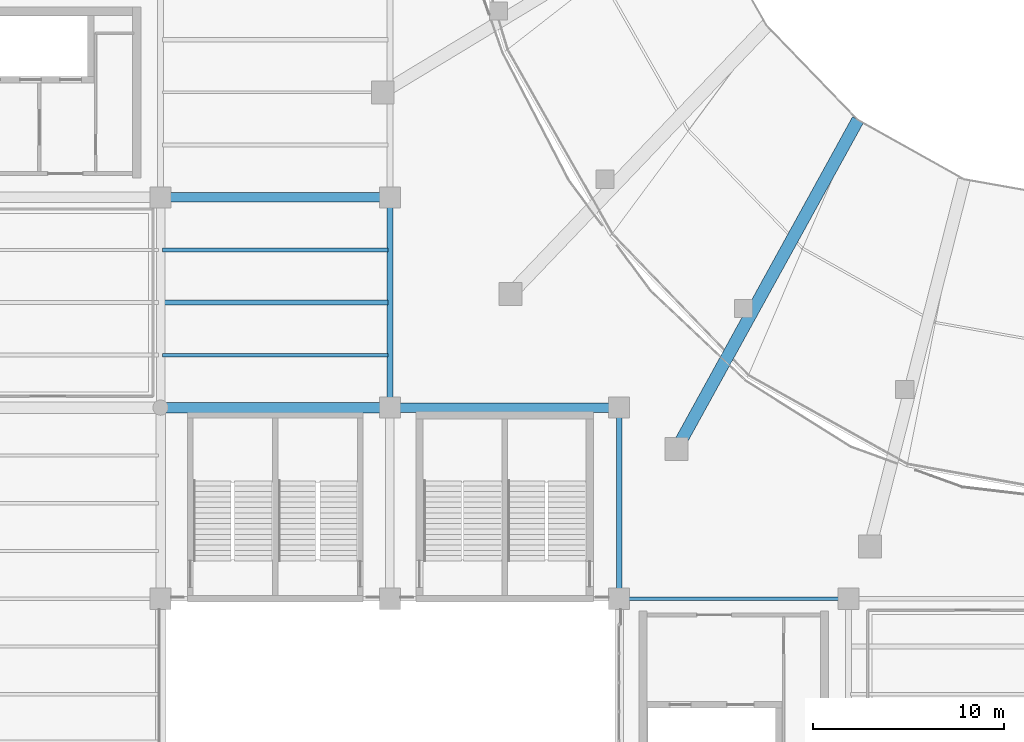
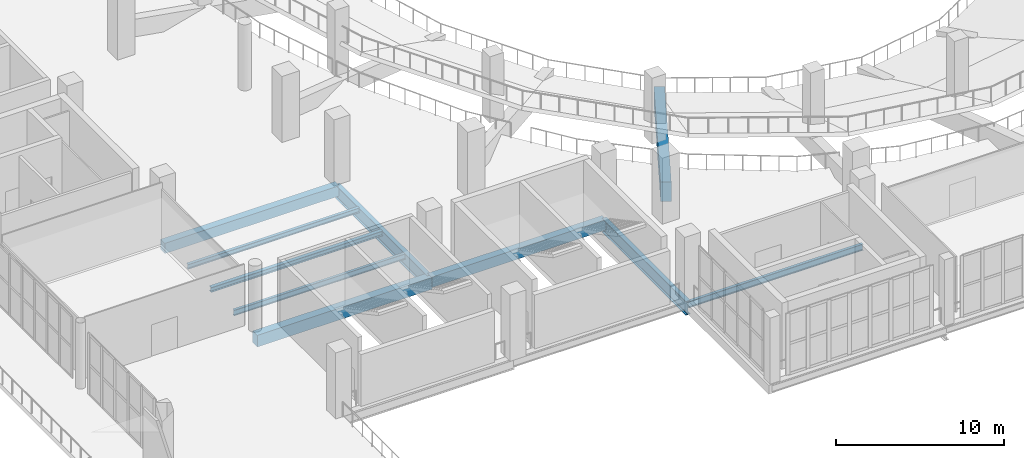
# One storey, part 39 of 136: 10 beams.
"""IFC4 building model written with IfcOpenShell, lengths in metres."""

from ifc_helpers import new_model, si_unit, direction, frame, origin, origin_2d, place, context, subcontext, project, spatial, rectangle, i_section, extrude, material, material_profile, profile_set, type_object, element, save


model = new_model("IFC4")

# Units and contexts
model_context = context("Model", 3, precision=1e-05, world=origin(), true_north=direction((0.0, 1.0)))
body_context = subcontext(model_context, "Body", "Model", "MODEL_VIEW")
ifc_project = project(units=[si_unit("LENGTHUNIT", "METRE"), si_unit("AREAUNIT", "SQUARE_METRE"), si_unit("VOLUMEUNIT", "CUBIC_METRE"), si_unit("PLANEANGLEUNIT", "RADIAN"), si_unit("MASSUNIT", "GRAM", prefix="KILO")], contexts=[model_context])

# Site, building, storey
site_placement = place(None, origin())
site = spatial("IfcSite", under=ifc_project, at=site_placement, CompositionType="ELEMENT")
building_placement = place(site_placement, origin())
building = spatial("IfcBuilding", under=site, at=building_placement, Name="Brinegate Civic Arena", CompositionType="ELEMENT")
storey_placement = place(building_placement, frame((0.0, 0.0, 5.39990234375)))
storey = spatial("IfcBuildingStorey", under=building, at=storey_placement, Name="L01", CompositionType="ELEMENT", Elevation=5.39990234375)

# Beams
ifc_material_1 = material(Name="Steel S355", Category="steel")
ifc_material_profile_1 = material_profile(ifc_material_1, i_section(OverallWidth=0.300048828125, OverallDepth=1.0, WebThickness=0.01904296875, FlangeThickness=0.031982421875, FilletRadius=0.02392578125, at=origin_2d()), Name="W1000X321")
ifc_profile_set_1 = profile_set([ifc_material_profile_1], Name="Steel S355")
beam_type_1 = type_object("IfcBeamType", Name="GIRDER-W1000X321", PredefinedType="BEAM", material=ifc_profile_set_1)
beam_1_placement = place(storey_placement, frame((72.0, 20.0, -0.83984375), z_axis=(0.0, 1.0, 0.0), x_axis=(-1.0, 0.0, 0.0)))
element("IfcBeam", 1, at=beam_1_placement, inside=storey, type_object=beam_type_1, Name="Floor Girder BM-L01-GY-06-02", PredefinedType="BEAM", context=body_context, shape_type="SweptSolid", body=[
    extrude(i_section(OverallWidth=0.300048828125, OverallDepth=1.0, WebThickness=0.01904296875, FlangeThickness=0.031982421875, FilletRadius=0.02392578125, at=origin_2d()), origin(), (0.0, 0.0, 1.0), 11.0),
])
beam_2_placement = place(storey_placement, frame((84.0, 10.0, -0.83984375), z_axis=(0.0, 1.0, 0.0), x_axis=(-1.0, 0.0, 0.0)))
element("IfcBeam", 2, at=beam_2_placement, inside=storey, type_object=beam_type_1, Name="Floor Girder BM-L01-GY-07-01", PredefinedType="BEAM", context=body_context, shape_type="SweptSolid", body=[
    extrude(i_section(OverallWidth=0.300048828125, OverallDepth=1.0, WebThickness=0.01904296875, FlangeThickness=0.031982421875, FilletRadius=0.02392578125, at=origin_2d()), origin(), (0.0, 0.0, 1.0), 10.0),
])
ifc_material_profile_2 = material_profile(ifc_material_1, i_section(OverallWidth=0.205078125, OverallDepth=0.35400390625, WebThickness=0.009033203125, FlangeThickness=0.01708984375, FilletRadius=0.013916015625, at=origin_2d()), Name="W360X79")
ifc_profile_set_2 = profile_set([ifc_material_profile_2], Name="Steel S355")
beam_type_2 = type_object("IfcBeamType", Name="JOIST-W360X79", PredefinedType="JOIST", material=ifc_profile_set_2)
beam_3_placement = place(storey_placement, frame((60.10595703125, 28.25, -0.516845703125), z_axis=(1.0, 0.0, 0.0), x_axis=(0.0, 1.0, 0.0)))
element("IfcBeam", 3, at=beam_3_placement, inside=storey, type_object=beam_type_2, Name="Secondary Joist BM-L01-JX-05-02-3", PredefinedType="JOIST", context=body_context, shape_type="SweptSolid", body=[
    extrude(i_section(OverallWidth=0.205078125, OverallDepth=0.35400390625, WebThickness=0.009033203125, FlangeThickness=0.01708984375, FilletRadius=0.013916015625, at=origin_2d()), origin(), (0.0, 0.0, 1.0), 11.7880859375),
])
ifc_material_profile_3 = material_profile(ifc_material_1, i_section(OverallWidth=0.25390625, OverallDepth=0.35302734375, WebThickness=0.010009765625, FlangeThickness=0.01611328125, FilletRadius=0.013916015625, at=origin_2d()), Name="W360X91")
ifc_profile_set_3 = profile_set([ifc_material_profile_3], Name="Steel S355")
beam_type_3 = type_object("IfcBeamType", Name="JOIST-W360X91", PredefinedType="JOIST", material=ifc_profile_set_3)
beam_4_placement = place(storey_placement, frame((60.10595703125, 25.5, -0.515869140625), z_axis=(1.0, 0.0, 0.0), x_axis=(0.0, 1.0, 0.0)))
element("IfcBeam", 4, at=beam_4_placement, inside=storey, type_object=beam_type_3, Name="Secondary Joist BM-L01-JX-05-02-2", PredefinedType="JOIST", context=body_context, shape_type="SweptSolid", body=[
    extrude(i_section(OverallWidth=0.25390625, OverallDepth=0.35302734375, WebThickness=0.010009765625, FlangeThickness=0.01611328125, FilletRadius=0.013916015625, at=origin_2d()), origin(), (0.0, 0.0, 1.0), 11.7880859375),
])
ifc_material_profile_4 = material_profile(ifc_material_1, i_section(OverallWidth=0.178955078125, OverallDepth=0.409912109375, WebThickness=0.009033203125, FlangeThickness=0.013916015625, FilletRadius=0.013916015625, at=origin_2d()), Name="W410X67")
ifc_profile_set_4 = profile_set([ifc_material_profile_4], Name="Steel S355")
beam_type_4 = type_object("IfcBeamType", Name="JOIST-W410X67", PredefinedType="JOIST", material=ifc_profile_set_4)
beam_5_placement = place(storey_placement, frame((60.10595703125, 22.75, -0.544921875), z_axis=(1.0, 0.0, 0.0), x_axis=(0.0, 1.0, 0.0)))
element("IfcBeam", 5, at=beam_5_placement, inside=storey, type_object=beam_type_4, Name="Secondary Joist BM-L01-JX-05-02-1", PredefinedType="JOIST", context=body_context, shape_type="SweptSolid", body=[
    extrude(i_section(OverallWidth=0.178955078125, OverallDepth=0.409912109375, WebThickness=0.009033203125, FlangeThickness=0.013916015625, FilletRadius=0.013916015625, at=origin_2d()), origin(), (0.0, 0.0, 1.0), 11.7880859375),
])
ifc_material_2 = material(Name="Concrete C50/60", Category="concrete")
ifc_material_profile_5 = material_profile(ifc_material_2, rectangle(XDim=0.64990234375, YDim=1.199951171875, at=origin_2d()), Name="RKR650X1200")
ifc_profile_set_5 = profile_set([ifc_material_profile_5], Name="Concrete C50/60")
beam_type_5 = type_object("IfcBeamType", Name="RAKER-RKR650X1200", PredefinedType="USERDEFINED", material=ifc_profile_set_5)
beam_6_placement = place(storey_placement, frame((96.39990234375, 34.89306640625, -4.89990234375), z_axis=(-0.456341906556, -0.828223462322, 0.325265984666), x_axis=(0.875849933393, -0.482583561858, 0.0)))
element("IfcBeam", 6, at=beam_6_placement, inside=storey, type_object=beam_type_5, Name="Lower Bowl Raker Girder RKR-LWR-17", ObjectType="RAKER GIRDER", PredefinedType="USERDEFINED", context=body_context, shape_type="SweptSolid", body=[
    extrude(rectangle(XDim=0.64990234375, YDim=1.199951171875, at=origin_2d()), origin(), (0.0, 0.0, 1.0), 20.598388671875),
])
ifc_material_profile_6 = material_profile(ifc_material_2, rectangle(XDim=0.5, YDim=0.75, at=origin_2d()), Name="RCB500X750")
ifc_profile_set_6 = profile_set([ifc_material_profile_6], Name="Concrete C50/60")
beam_type_6 = type_object("IfcBeamType", Name="RCG-500X750", PredefinedType="BEAM", material=ifc_profile_set_6)
for number, where, z_axis, x_axis, name in (
    (7, (72.0, 20.0, -0.71484375), (1.0, 0.0, 0.0), (0.0, 1.0, 0.0), "Floor Girder BM-L01-GX-06-02"),
    (8, (60.0, 31.0, -0.71484375), (1.0, 0.0, 0.0), (0.0, 1.0, 0.0), "Floor Girder BM-L01-GX-05-03"),
):
    element("IfcBeam", number, at=place(storey_placement, frame(where, z_axis=z_axis, x_axis=x_axis)), inside=storey, type_object=beam_type_6, Name=name, PredefinedType="BEAM", context=body_context, shape_type="SweptSolid", body=[
        extrude(rectangle(XDim=0.5, YDim=0.75, at=origin_2d()), origin(), (0.0, 0.0, 1.0), 12.0),
    ])
ifc_material_profile_7 = material_profile(ifc_material_2, rectangle(XDim=0.550048828125, YDim=0.85009765625, at=origin_2d()), Name="RCB550X850")
ifc_profile_set_7 = profile_set([ifc_material_profile_7], Name="Concrete C50/60")
beam_type_7 = type_object("IfcBeamType", Name="RCG-550X850", PredefinedType="BEAM", material=ifc_profile_set_7)
beam_7_placement = place(storey_placement, frame((60.0, 20.0, -0.764892578125), z_axis=(1.0, 0.0, 0.0), x_axis=(0.0, 1.0, 0.0)))
element("IfcBeam", 9, at=beam_7_placement, inside=storey, type_object=beam_type_7, Name="Floor Girder BM-L01-GX-05-02", PredefinedType="BEAM", context=body_context, shape_type="SweptSolid", body=[
    extrude(rectangle(XDim=0.550048828125, YDim=0.85009765625, at=origin_2d()), origin(), (0.0, 0.0, 1.0), 12.0),
])
ifc_material_profile_8 = material_profile(ifc_material_1, i_section(OverallWidth=0.193115234375, OverallDepth=0.466064453125, WebThickness=0.010986328125, FlangeThickness=0.01904296875, FilletRadius=0.014892578125, at=origin_2d()), Name="W460X97")
ifc_profile_set_8 = profile_set([ifc_material_profile_8], Name="Steel S355")
beam_type_8 = type_object("IfcBeamType", Name="SPANDREL-W460X97", PredefinedType="SPANDREL", material=ifc_profile_set_8)
beam_8_placement = place(storey_placement, frame((84.0, 10.0, -0.572998046875), z_axis=(1.0, 0.0, 0.0), x_axis=(0.0, 1.0, 0.0)))
element("IfcBeam", 10, at=beam_8_placement, inside=storey, type_object=beam_type_8, Name="Floor Girder BM-L01-GX-07-01", PredefinedType="SPANDREL", context=body_context, shape_type="SweptSolid", body=[
    extrude(i_section(OverallWidth=0.193115234375, OverallDepth=0.466064453125, WebThickness=0.010986328125, FlangeThickness=0.01904296875, FilletRadius=0.014892578125, at=origin_2d()), origin(), (0.0, 0.0, 1.0), 12.0),
])

save(model, "model.ifc")
